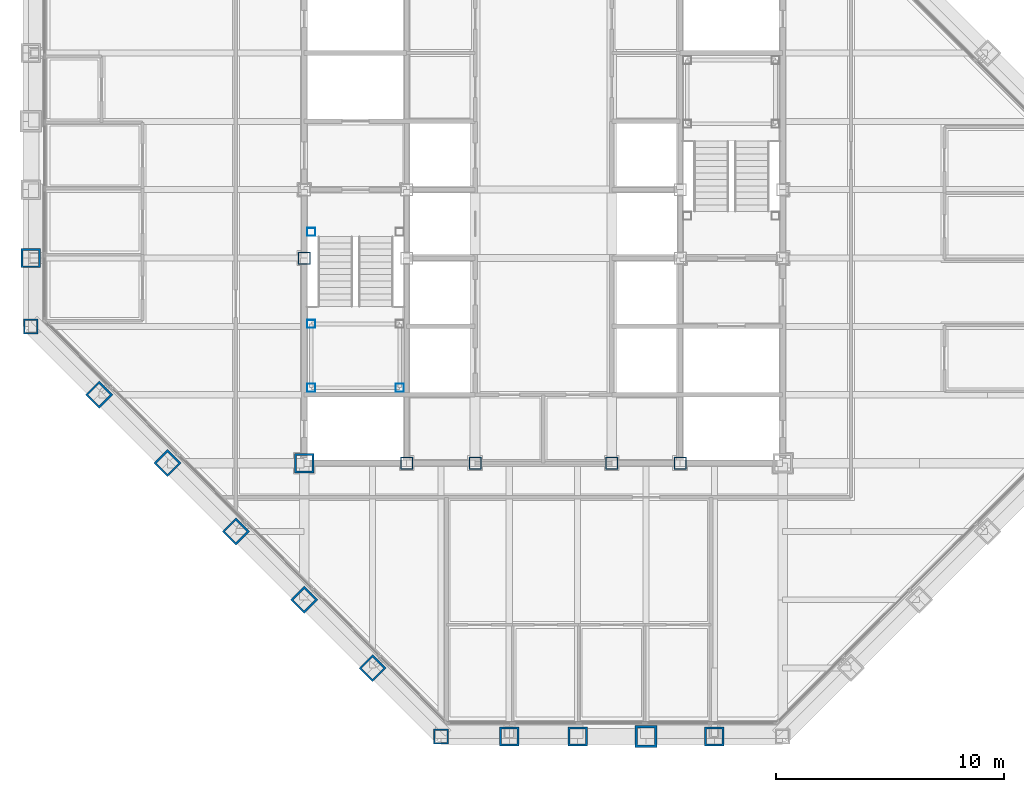
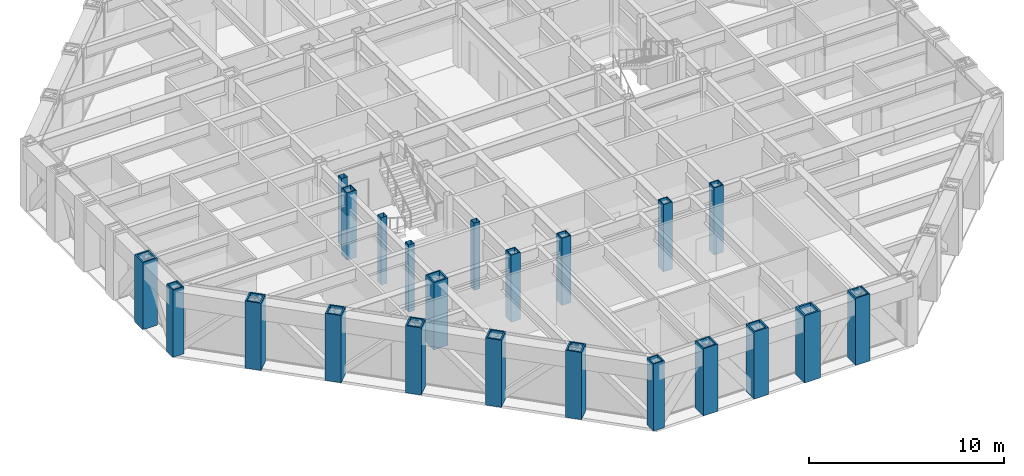
# One storey, part 1 of 16: 22 columns.
"""IFC4 building model written with IfcOpenShell, lengths in metres."""

from ifc_helpers import new_model, si_unit, direction, frame, origin, origin_2d, place, context, subcontext, project, spatial, hollow_rectangle, extrude, material, material_profile, profile_set, type_object, element, save


model = new_model("IFC4")

# Units and contexts
model_context = context("Model", 3, precision=1e-05, world=origin(), true_north=direction((0.0, 1.0)))
body_context = subcontext(model_context, "Body", "Model", "MODEL_VIEW")
ifc_project = project(units=[si_unit("LENGTHUNIT", "METRE"), si_unit("AREAUNIT", "SQUARE_METRE"), si_unit("VOLUMEUNIT", "CUBIC_METRE"), si_unit("PLANEANGLEUNIT", "RADIAN"), si_unit("MASSUNIT", "GRAM", prefix="KILO")], contexts=[model_context])

# Site, building, storey
site_placement = place(None, origin())
site = spatial("IfcSite", under=ifc_project, at=site_placement, CompositionType="ELEMENT")
building_placement = place(site_placement, origin())
building = spatial("IfcBuilding", under=site, at=building_placement, Name="Chuquiago Exchange Tower", CompositionType="ELEMENT")
storey_placement = place(building_placement, frame((0.0, 0.0, 247.5)))
storey = spatial("IfcBuildingStorey", under=building, at=storey_placement, Name="L55", CompositionType="ELEMENT", Elevation=247.5)

# Columns
ifc_material_1 = material(Name="Steel ASTM A572 Grade 50", Category="steel")
ifc_material_profile_1 = material_profile(ifc_material_1, hollow_rectangle(XDim=0.85009765625, YDim=0.85009765625, WallThickness=0.0849609375, at=origin_2d()), Name="BOX850X850X85")
ifc_profile_set_1 = profile_set([ifc_material_profile_1], Name="Steel ASTM A572 Grade 50")
column_type_1 = type_object("IfcColumnType", Name="C6 BOX850X850X85", PredefinedType="COLUMN", material=ifc_profile_set_1)
for number, where, z_axis, x_axis, name in (
    (1, (21.0, 0.0, 0.0), (0.0, 0.0, 1.0), (0.0, -1.0, 0.0), "COL-L55-21_0"),
    (2, (24.0, 0.0, 0.0), (0.0, 0.0, 1.0), (0.0, -1.0, 0.0), "COL-L55-24_0"),
    (3, (30.0, 0.0, 0.0), (0.0, 0.0, 1.0), (0.0, -1.0, 0.0), "COL-L55-30_0"),
    (4, (0.0, 21.0, 0.0), (0.0, 0.0, 1.0), (-1.0, 0.0, 0.0), "COL-L55-0_21"),
    (5, (3.0, 15.0, 0.0), (0.0, 0.0, 1.0), (-0.707106781187, -0.707106781187, 0.0), "COL-L55-3_15"),
    (6, (6.0, 12.0, 0.0), (0.0, 0.0, 1.0), (-0.707106781187, -0.707106781187, 0.0), "COL-L55-6_12"),
    (7, (9.0, 9.0, 0.0), (0.0, 0.0, 1.0), (-0.707106781187, -0.707106781187, 0.0), "COL-L55-9_9"),
    (8, (12.0, 6.0, 0.0), (0.0, 0.0, 1.0), (-0.707106781187, -0.707106781187, 0.0), "COL-L55-12_6"),
    (9, (15.0, 3.0, 0.0), (0.0, 0.0, 1.0), (-0.707106781187, -0.707106781187, 0.0), "COL-L55-15_3"),
):
    element("IfcColumn", number, at=place(storey_placement, frame(where, z_axis=z_axis, x_axis=x_axis)), inside=storey, type_object=column_type_1, Name=name, PredefinedType="COLUMN", context=body_context, shape_type="SweptSolid", body=[
        extrude(hollow_rectangle(XDim=0.85009765625, YDim=0.85009765625, WallThickness=0.0849609375, at=origin_2d()), origin(), (0.0, 0.0, 1.0), 4.199951171875),
    ])
ifc_material_2 = material(Name="Steel ASTM A572 Grade 50", Category="steel")
ifc_material_profile_2 = material_profile(ifc_material_2, hollow_rectangle(XDim=0.85009765625, YDim=0.85009765625, WallThickness=0.0849609375, at=origin_2d()), Name="BOX850X850X85")
ifc_profile_set_2 = profile_set([ifc_material_profile_2], Name="Steel ASTM A572 Grade 50")
column_type_2 = type_object("IfcColumnType", Name="CC6 BOX850X850X85", PredefinedType="COLUMN", material=ifc_profile_set_2)
column_1_placement = place(storey_placement, frame((12.0, 12.0, 0.0), z_axis=(0.0, 0.0, 1.0), x_axis=(1.0, 0.0, 0.0)))
element("IfcColumn", 10, at=column_1_placement, inside=storey, type_object=column_type_2, Name="CCOL-L55-12_12", PredefinedType="COLUMN", context=body_context, shape_type="SweptSolid", body=[
    extrude(hollow_rectangle(XDim=0.85009765625, YDim=0.85009765625, WallThickness=0.0849609375, at=origin_2d()), origin(), (0.0, 0.0, 1.0), 4.199951171875),
])
ifc_material_3 = material(Name="Steel ASTM A572 Grade 50", Category="steel")
ifc_material_profile_3 = material_profile(ifc_material_3, hollow_rectangle(XDim=0.550048828125, YDim=0.550048828125, WallThickness=0.044921875, at=origin_2d()), Name="BOX550X550X45")
ifc_profile_set_3 = profile_set([ifc_material_profile_3], Name="Steel ASTM A572 Grade 50")
column_type_3 = type_object("IfcColumnType", Name="CC8 BOX550X550X45", PredefinedType="COLUMN", material=ifc_profile_set_3)
for number, where, z_axis, x_axis, name in (
    (11, (16.5, 12.0, 0.0), (0.0, 0.0, 1.0), (1.0, 0.0, 0.0), "CCOL-L55-16.5_12"),
    (12, (19.5, 12.0, 0.0), (0.0, 0.0, 1.0), (1.0, 0.0, 0.0), "CCOL-L55-19.5_12"),
    (13, (25.5, 12.0, 0.0), (0.0, 0.0, 1.0), (1.0, 0.0, 0.0), "CCOL-L55-25.5_12"),
    (14, (28.5, 12.0, 0.0), (0.0, 0.0, 1.0), (1.0, 0.0, 0.0), "CCOL-L55-28.5_12"),
    (15, (12.0, 21.0, 0.0), (0.0, 0.0, 1.0), (1.0, 0.0, 0.0), "CCOL-L55-12_21"),
):
    element("IfcColumn", number, at=place(storey_placement, frame(where, z_axis=z_axis, x_axis=x_axis)), inside=storey, type_object=column_type_3, Name=name, PredefinedType="COLUMN", context=body_context, shape_type="SweptSolid", body=[
        extrude(hollow_rectangle(XDim=0.550048828125, YDim=0.550048828125, WallThickness=0.044921875, at=origin_2d()), origin(), (0.0, 0.0, 1.0), 4.199951171875),
    ])
ifc_material_4 = material(Name="Steel ASTM A572 Grade 50", Category="steel")
ifc_material_profile_4 = material_profile(ifc_material_4, hollow_rectangle(XDim=0.64990234375, YDim=0.64990234375, WallThickness=0.06494140625, at=origin_2d()), Name="BOX650X650X65")
ifc_profile_set_4 = profile_set([ifc_material_profile_4], Name="Steel ASTM A572 Grade 50")
column_type_4 = type_object("IfcColumnType", Name="CN2 BOX650X650X65", PredefinedType="COLUMN", material=ifc_profile_set_4)
for number, where, z_axis, x_axis, name in (
    (16, (18.0, 0.0, 0.0), (0.0, 0.0, 1.0), (0.0, -1.0, 0.0), "COL-L55-18_0"),
    (17, (0.0, 18.0, 0.0), (0.0, 0.0, 1.0), (-1.0, 0.0, 0.0), "COL-L55-0_18"),
):
    element("IfcColumn", number, at=place(storey_placement, frame(where, z_axis=z_axis, x_axis=x_axis)), inside=storey, type_object=column_type_4, Name=name, PredefinedType="COLUMN", context=body_context, shape_type="SweptSolid", body=[
        extrude(hollow_rectangle(XDim=0.64990234375, YDim=0.64990234375, WallThickness=0.06494140625, at=origin_2d()), origin(), (0.0, 0.0, 1.0), 4.199951171875),
    ])
ifc_material_5 = material(Name="Steel ASTM A572 Grade 42", Category="steel")
ifc_material_profile_5 = material_profile(ifc_material_5, hollow_rectangle(XDim=0.949951171875, YDim=0.949951171875, WallThickness=0.110107421875, at=origin_2d()), Name="BOX950X950X110")
ifc_profile_set_5 = profile_set([ifc_material_profile_5], Name="Steel ASTM A572 Grade 42")
column_type_5 = type_object("IfcColumnType", Name="CT1 BOX950X950X110", PredefinedType="COLUMN", material=ifc_profile_set_5)
column_2_placement = place(storey_placement, frame((27.0, 0.0, 0.0), z_axis=(0.0, 0.0, 1.0), x_axis=(0.0, -1.0, 0.0)))
element("IfcColumn", 18, at=column_2_placement, inside=storey, type_object=column_type_5, Name="COL-L55-27_0", PredefinedType="COLUMN", context=body_context, shape_type="SweptSolid", body=[
    extrude(hollow_rectangle(XDim=0.949951171875, YDim=0.949951171875, WallThickness=0.110107421875, at=origin_2d()), origin(), (0.0, 0.0, 1.0), 4.199951171875),
])
ifc_material_6 = material(Name="Steel ASTM A500 Grade C", Category="steel")
ifc_material_profile_6 = material_profile(ifc_material_6, hollow_rectangle(XDim=0.355712890625, YDim=0.355712890625, WallThickness=0.0087890625, at=origin_2d()), Name="HSS14X14X3/8")
ifc_profile_set_6 = profile_set([ifc_material_profile_6], Name="Steel ASTM A500 Grade C")
column_type_6 = type_object("IfcColumnType", Name="PT1 HSS14X14X3/8", PredefinedType="COLUMN", material=ifc_profile_set_6)
for number, where, z_axis, x_axis, name in (
    (19, (12.31005859375, 15.31005859375, 0.0), (0.0, 0.0, 1.0), (1.0, 0.0, 0.0), "Stair ST1 L55 landing post"),
    (20, (16.18994140625, 15.31005859375, 0.0), (0.0, 0.0, 1.0), (1.0, 0.0, 0.0), "Stair ST1 L55 landing post"),
    (21, (12.31005859375, 18.110107421875, 0.0), (0.0, 0.0, 1.0), (1.0, 0.0, 0.0), "Stair ST1 L55 landing post"),
    (22, (12.31005859375, 22.14990234375, 0.0), (0.0, 0.0, 1.0), (1.0, 0.0, 0.0), "Stair ST1 L55 landing post"),
):
    element("IfcColumn", number, at=place(storey_placement, frame(where, z_axis=z_axis, x_axis=x_axis)), inside=storey, type_object=column_type_6, Name=name, PredefinedType="COLUMN", context=body_context, shape_type="SweptSolid", body=[
        extrude(hollow_rectangle(XDim=0.355712890625, YDim=0.355712890625, WallThickness=0.0087890625, at=origin_2d()), origin(), (0.0, 0.0, 1.0), 4.199951171875),
    ])

save(model, "model.ifc")
